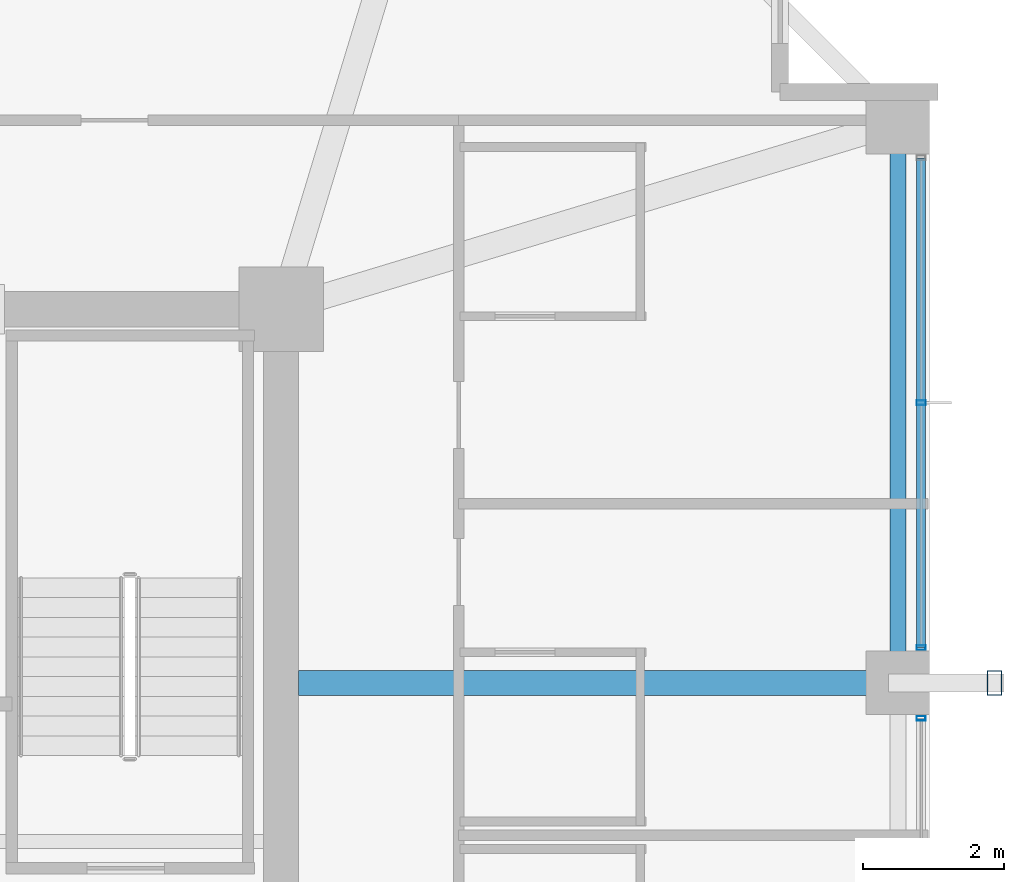
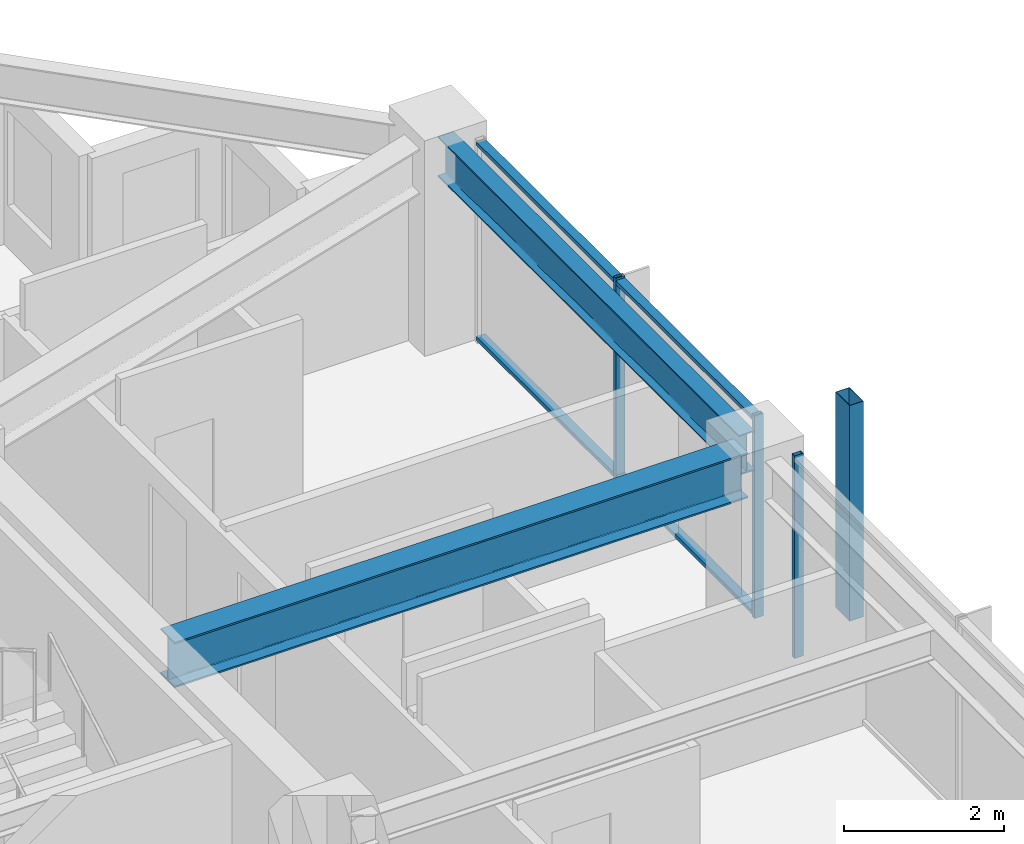
# One storey, part 15 of 34: 6 members, 2 beams, 2 elements without a shape of their own.
"""IFC4 building model written with IfcOpenShell, lengths in metres."""

from ifc_helpers import new_model, si_unit, direction, frame, origin, origin_2d, place, context, subcontext, project, spatial, hollow_rectangle, i_section, extrude, material, material_profile, profile_set, type_object, element, aggregate, save


model = new_model("IFC4")

# Units and contexts
model_context = context("Model", 3, precision=1e-05, world=origin(), true_north=direction((0.0, 1.0)))
body_context = subcontext(model_context, "Body", "Model", "MODEL_VIEW")
ifc_project = project(units=[si_unit("LENGTHUNIT", "METRE"), si_unit("AREAUNIT", "SQUARE_METRE"), si_unit("VOLUMEUNIT", "CUBIC_METRE"), si_unit("PLANEANGLEUNIT", "RADIAN"), si_unit("MASSUNIT", "GRAM", prefix="KILO")], contexts=[model_context])

# Site, building, storey
site_placement = place(None, origin())
site = spatial("IfcSite", under=ifc_project, at=site_placement, CompositionType="ELEMENT")
building_placement = place(site_placement, origin())
building = spatial("IfcBuilding", under=site, at=building_placement, Name="Kolvaren Belvedere", CompositionType="ELEMENT")
storey_placement = place(building_placement, frame((0.0, 0.0, 166.800048828125)))
storey = spatial("IfcBuildingStorey", under=building, at=storey_placement, Name="L48", CompositionType="ELEMENT", Elevation=166.800048828125)

# Beams
ifc_material_1 = material(Name="Structural steel ASTM A992 Grade 50", Category="steel")
ifc_material_profile_1 = material_profile(ifc_material_1, i_section(OverallWidth=0.35498046875, OverallDepth=0.696044921875, WebThickness=0.015380859375, FlangeThickness=0.02490234375, FilletRadius=0.02197265625, at=origin_2d()), Name="W27X146")
ifc_profile_set_1 = profile_set([ifc_material_profile_1], Name="Structural steel ASTM A992 Grade 50")
beam_type_1 = type_object("IfcBeamType", Name="BM-GIRD-W27X146", PredefinedType="BEAM", material=ifc_profile_set_1)
beam_1_placement = place(storey_placement, frame((10.14990234375, 4.60009765625, 2.751953125), z_axis=(1.0, 0.0, 0.0), x_axis=(0.0, 1.0, 0.0)))
element("IfcBeam", 1, at=beam_1_placement, inside=storey, type_object=beam_type_1, Name="L48 East Radial Girder P", PredefinedType="BEAM", context=body_context, shape_type="SweptSolid", body=[
    extrude(i_section(OverallWidth=0.35498046875, OverallDepth=0.696044921875, WebThickness=0.015380859375, FlangeThickness=0.02490234375, FilletRadius=0.02197265625, at=origin_2d()), origin(), (0.0, 0.0, 1.0), 8.297607421875),
])
ifc_material_2 = material(Name="Structural steel ASTM A992 Grade 50", Category="steel")
ifc_material_profile_2 = material_profile(ifc_material_2, i_section(OverallWidth=0.22900390625, OverallDepth=0.612060546875, WebThickness=0.011962890625, FlangeThickness=0.01953125, FilletRadius=0.01806640625, at=origin_2d()), Name="W24X84")
ifc_profile_set_2 = profile_set([ifc_material_profile_2], Name="Structural steel ASTM A992 Grade 50")
beam_type_2 = type_object("IfcBeamType", Name="BM-SPAN-W24X84", PredefinedType="SPANDREL", material=ifc_profile_set_2)
beam_2_placement = place(storey_placement, frame((18.64990234375, 4.802490234375, 2.7939453125), z_axis=(0.0, 1.0, 0.0), x_axis=(-1.0, 0.0, 0.0)))
element("IfcBeam", 2, at=beam_2_placement, inside=storey, type_object=beam_type_2, Name="L48 Perimeter Spandrel E3-E4", PredefinedType="SPANDREL", context=body_context, shape_type="SweptSolid", body=[
    extrude(i_section(OverallWidth=0.22900390625, OverallDepth=0.612060546875, WebThickness=0.011962890625, FlangeThickness=0.01953125, FilletRadius=0.01806640625, at=origin_2d()), origin(), (0.0, 0.0, 1.0), 7.544921875),
])

# Curtain wall, members
ifc_material_3 = material(Name="Anodised pale-metal aluminium AA 6063-T6", Category="aluminium")
curtain_wall_type = type_object("IfcCurtainWallType", Name="CW-Z3-WAIST", PredefinedType="NOTDEFINED", material=ifc_material_3)
curtain_wall_1_placement = place(storey_placement, origin())
curtain_wall_1 = element("IfcCurtainWall", 3, at=curtain_wall_1_placement, inside=storey, type_object=curtain_wall_type, Name="L48 Unitised Curtain Wall FCW-L48-E-B1", PredefinedType="NOTDEFINED")
ifc_material_4 = material(Name="Anodised pale-metal aluminium AA 6063-T6", Category="aluminium")
ifc_material_profile_3 = material_profile(ifc_material_4, hollow_rectangle(XDim=0.06494140625, YDim=0.1298828125, WallThickness=0.00390625, at=origin_2d()), Name="ALU-MUL-130X65")
ifc_profile_set_3 = profile_set([ifc_material_profile_3], Name="Anodised pale-metal aluminium AA 6063-T6")
member_type_1 = type_object("IfcMemberType", Name="CW-MUL-130", PredefinedType="MULLION", material=ifc_profile_set_3)
member_1_placement = place(storey_placement, frame((18.97998046875, 8.574951171875, 0.0), z_axis=(0.0, 0.0, 1.0), x_axis=(0.0, 1.0, 0.0)))
member_1 = element("IfcMember", 4, at=member_1_placement, type_object=member_type_1, Name="FCW-L48-E-B1 Unitised Mullion 2", PredefinedType="MULLION", context=body_context, shape_type="SweptSolid", body=[
    extrude(hollow_rectangle(XDim=0.06494140625, YDim=0.1298828125, WallThickness=0.00390625, at=origin_2d()), origin(), (0.0, 0.0, 1.0), 3.099853515625),
])
member_2_placement = place(storey_placement, frame((18.97998046875, 5.1025390625, 0.0), z_axis=(0.0, 0.0, 1.0), x_axis=(0.0, 1.0, 0.0)))
member_2 = element("IfcMember", 5, at=member_2_placement, type_object=member_type_1, Name="FCW-L48-E-B1 Unitised Mullion 3", PredefinedType="MULLION", context=body_context, shape_type="SweptSolid", body=[
    extrude(hollow_rectangle(XDim=0.06494140625, YDim=0.1298828125, WallThickness=0.00390625, at=origin_2d()), origin(), (0.0, 0.0, 1.0), 3.099853515625),
])

# Curtain wall, member
curtain_wall_2_placement = place(storey_placement, origin())
curtain_wall_2 = element("IfcCurtainWall", 6, at=curtain_wall_2_placement, inside=storey, type_object=curtain_wall_type, Name="L48 Unitised Curtain Wall FCW-L48-E-B2", PredefinedType="NOTDEFINED")
member_3_placement = place(storey_placement, frame((18.97998046875, 4.097412109375, 0.0), z_axis=(0.0, 0.0, 1.0), x_axis=(0.0, 1.0, 0.0)))
member_3 = element("IfcMember", 7, at=member_3_placement, type_object=member_type_1, Name="FCW-L48-E-B2 Unitised Mullion 1", PredefinedType="MULLION", context=body_context, shape_type="SweptSolid", body=[
    extrude(hollow_rectangle(XDim=0.06494140625, YDim=0.1298828125, WallThickness=0.00390625, at=origin_2d()), origin(), (0.0, 0.0, 1.0), 3.099853515625),
])
aggregate(curtain_wall_2, [member_3])

# Member
ifc_material_5 = material(Name="Anodised pale-metal aluminium AA 6063-T6", Category="aluminium")
ifc_material_profile_4 = material_profile(ifc_material_5, hollow_rectangle(XDim=0.06005859375, YDim=0.1298828125, WallThickness=0.00390625, at=origin_2d()), Name="ALU-TRN-130X60")
ifc_profile_set_4 = profile_set([ifc_material_profile_4], Name="Anodised pale-metal aluminium AA 6063-T6")
member_type_2 = type_object("IfcMemberType", Name="CW-TRN-130", PredefinedType="USERDEFINED", material=ifc_profile_set_4)
member_4_placement = place(storey_placement, frame((18.97998046875, 12.047607421875, 0.06005859375), z_axis=(0.0, -1.0, 0.0), x_axis=(0.0, 0.0, 1.0)))
member_4 = element("IfcMember", 8, at=member_4_placement, type_object=member_type_2, Name="FCW-L48-E-B1 Sill Transom", ObjectType="TRANSOM", PredefinedType="USERDEFINED", context=body_context, shape_type="SweptSolid", body=[
    extrude(hollow_rectangle(XDim=0.06005859375, YDim=0.1298828125, WallThickness=0.00390625, at=origin_2d()), origin(), (0.0, 0.0, 1.0), 6.945068359375),
])

member_5_placement = place(storey_placement, frame((18.97998046875, 12.047607421875, 3.0400390625), z_axis=(0.0, -1.0, 0.0), x_axis=(0.0, 0.0, 1.0)))
member_5 = element("IfcMember", 9, at=member_5_placement, type_object=member_type_2, Name="FCW-L48-E-B1 Head Transom", ObjectType="TRANSOM", PredefinedType="USERDEFINED", context=body_context, shape_type="SweptSolid", body=[
    extrude(hollow_rectangle(XDim=0.06005859375, YDim=0.1298828125, WallThickness=0.00390625, at=origin_2d()), origin(), (0.0, 0.0, 1.0), 6.945068359375),
])

aggregate(curtain_wall_1, [member_1, member_2, member_4, member_5])

ifc_material_6 = material(Name="Anodised pale-metal aluminium AA 6063-T6", Category="aluminium")
ifc_material_profile_5 = material_profile(ifc_material_6, hollow_rectangle(XDim=0.199951171875, YDim=0.35009765625, WallThickness=0.007568359375, at=origin_2d()), Name="ALU-PF-350X200")
ifc_profile_set_5 = profile_set([ifc_material_profile_5], Name="Anodised pale-metal aluminium AA 6063-T6")
member_type_3 = type_object("IfcMemberType", Name="PF-FRAME-350", PredefinedType="USERDEFINED", material=ifc_profile_set_5)
member_6_placement = place(storey_placement, frame((20.02001953125, 4.60009765625, 0.0), z_axis=(0.0, 0.0, 1.0), x_axis=(1.0, 0.0, 0.0)))
element("IfcMember", 10, at=member_6_placement, inside=storey, type_object=member_type_3, Name="L48 Outboard Picture-Frame Vertical E1", ObjectType="PICTURE FRAME FIN", PredefinedType="USERDEFINED", context=body_context, shape_type="SweptSolid", body=[
    extrude(hollow_rectangle(XDim=0.199951171875, YDim=0.35009765625, WallThickness=0.007568359375, at=origin_2d()), origin(), (0.0, 0.0, 1.0), 3.300048828125),
])

save(model, "model.ifc")
